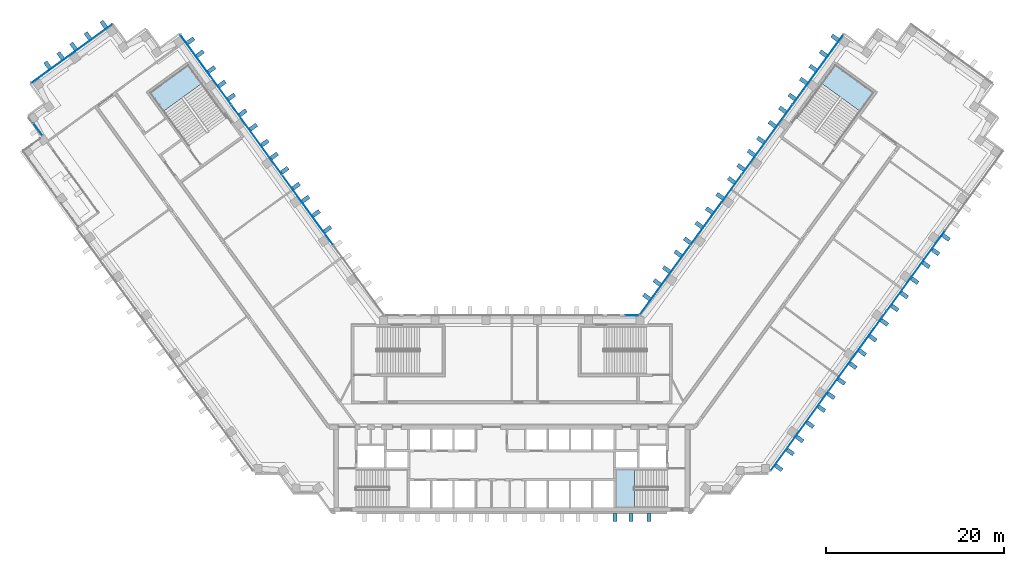
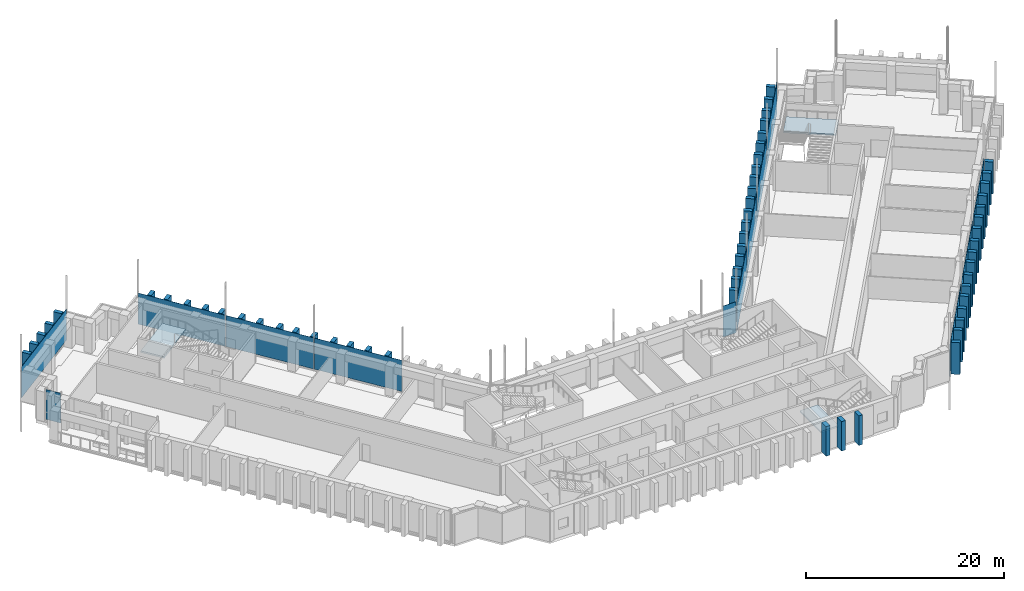
# One storey, part 9 of 19: 71 plates, 3 slabs, 9 elements without a shape of their own.
"""IFC4 building model written with IfcOpenShell, lengths in metres."""

from ifc_helpers import new_model, si_unit, direction, frame, origin, origin_2d, place, context, subcontext, project, spatial, polyline, rectangle, outline, extrude, material, layer, layer_set, type_object, element, aggregate, save


model = new_model("IFC4")

# Units and contexts
model_context = context("Model", 3, precision=1e-05, world=origin(), true_north=direction((0.0, 1.0)))
body_context = subcontext(model_context, "Body", "Model", "MODEL_VIEW")
ifc_project = project(units=[si_unit("LENGTHUNIT", "METRE"), si_unit("AREAUNIT", "SQUARE_METRE"), si_unit("VOLUMEUNIT", "CUBIC_METRE"), si_unit("PLANEANGLEUNIT", "RADIAN"), si_unit("MASSUNIT", "GRAM", prefix="KILO")], contexts=[model_context])

# Site, building, storey
site_placement = place(None, origin())
site = spatial("IfcSite", under=ifc_project, at=site_placement, CompositionType="ELEMENT")
building_placement = place(site_placement, origin())
building = spatial("IfcBuilding", under=site, at=building_placement, Name="Quipu Civic Tower", CompositionType="ELEMENT")
storey_placement = place(building_placement, frame((0.0, 0.0, 35.0)))
storey = spatial("IfcBuildingStorey", under=building, at=storey_placement, Name="L07", CompositionType="ELEMENT", Elevation=35.0)

# Curtain wall, plate
ifc_material_1 = material(Name="Insulated glass unit", Category="glass")
curtain_wall_type = type_object("IfcCurtainWallType", Name="Office curtain wall CW1", PredefinedType="NOTDEFINED", material=ifc_material_1)
curtain_wall_1_placement = place(storey_placement, origin())
curtain_wall_1 = element("IfcCurtainWall", 1, at=curtain_wall_1_placement, inside=storey, type_object=curtain_wall_type, Name="Office curtain wall CW1 L07 run 2", PredefinedType="NOTDEFINED")
ifc_material_2 = material(Name="Insulated glass unit", Category="glass")
ifc_layer_1 = layer(ifc_material_2, 0.028076171875)
ifc_layer_set_1 = layer_set([ifc_layer_1], Name="Insulated glass unit")
plate_type_1 = type_object("IfcPlateType", Name="Glass panel CW1", PredefinedType="CURTAIN_PANEL", material=ifc_layer_set_1)
plate_1_placement = place(storey_placement, frame((-53.267578125, 32.008544921875, 0.240234375), z_axis=(0.0, 0.0, 1.0), x_axis=(0.587788151635, -0.809014887871, 0.0)))
plate_1 = element("IfcPlate", 2, at=plate_1_placement, type_object=plate_type_1, Name="CW1 panel 1.1", PredefinedType="CURTAIN_PANEL", context=body_context, shape_type="SweptSolid", body=[
    extrude(rectangle(XDim=1.638671875, YDim=0.028076171875, at=origin_2d()), origin(), (0.0, 0.0, 1.0), 3.679931640625),
])
aggregate(curtain_wall_1, [plate_1])

# Curtain wall, plates
curtain_wall_2_placement = place(storey_placement, origin())
curtain_wall_2 = element("IfcCurtainWall", 3, at=curtain_wall_2_placement, inside=storey, type_object=curtain_wall_type, Name="Office curtain wall CW1 L06 run 16", PredefinedType="NOTDEFINED")
plate_2_placement = place(storey_placement, frame((32.342529296875, -1.896484375, 0.16015625), z_axis=(0.0, 0.0, 1.0), x_axis=(0.587785559869, 0.809016770908, 0.0)))
plate_2 = element("IfcPlate", 4, at=plate_2_placement, type_object=plate_type_1, Name="CW1 panel 1.2", PredefinedType="CURTAIN_PANEL", context=body_context, shape_type="SweptSolid", body=[
    extrude(rectangle(XDim=11.022705078125, YDim=0.028076171875, at=origin_2d()), origin(), (0.0, 0.0, 1.0), 3.840087890625),
])
plate_3_placement = place(storey_placement, frame((38.880126953125, 7.101806640625, 0.16015625), z_axis=(0.0, 0.0, 1.0), x_axis=(0.587785559869, 0.809016770908, 0.0)))
plate_3 = element("IfcPlate", 5, at=plate_3_placement, type_object=plate_type_1, Name="CW1 panel 2.2", PredefinedType="CURTAIN_PANEL", context=body_context, shape_type="SweptSolid", body=[
    extrude(rectangle(XDim=11.062744140625, YDim=0.028076171875, at=origin_2d()), origin(), (0.0, 0.0, 1.0), 3.840087890625),
])
plate_4_placement = place(storey_placement, frame((45.4296875, 16.11669921875, 0.16015625), z_axis=(0.0, 0.0, 1.0), x_axis=(0.587785559869, 0.809016770908, 0.0)))
plate_4 = element("IfcPlate", 6, at=plate_4_placement, type_object=plate_type_1, Name="CW1 panel 3.2", PredefinedType="CURTAIN_PANEL", context=body_context, shape_type="SweptSolid", body=[
    extrude(rectangle(XDim=11.062744140625, YDim=0.028076171875, at=origin_2d()), origin(), (0.0, 0.0, 1.0), 3.840087890625),
])
aggregate(curtain_wall_2, [plate_2, plate_3, plate_4])

curtain_wall_3_placement = place(storey_placement, origin())
curtain_wall_3 = element("IfcCurtainWall", 7, at=curtain_wall_3_placement, inside=storey, type_object=curtain_wall_type, Name="Office curtain wall CW1 L06 run 26", PredefinedType="NOTDEFINED")
plate_5_placement = place(storey_placement, frame((34.413330078125, 38.722900390625, 0.16015625), z_axis=(0.0, 0.0, 1.0), x_axis=(-0.587785887566, -0.809016532822, 0.0)))
plate_5 = element("IfcPlate", 8, at=plate_5_placement, type_object=plate_type_1, Name="CW1 panel 1.2", PredefinedType="CURTAIN_PANEL", context=body_context, shape_type="SweptSolid", body=[
    extrude(rectangle(XDim=9.64111328125, YDim=0.028076171875, at=origin_2d()), origin(), (0.0, 0.0, 1.0), 3.840087890625),
])
plate_6_placement = place(storey_placement, frame((28.687744140625, 30.84228515625, 0.16015625), z_axis=(0.0, 0.0, 1.0), x_axis=(-0.587785887566, -0.809016532822, 0.0)))
plate_6 = element("IfcPlate", 9, at=plate_6_placement, type_object=plate_type_1, Name="CW1 panel 2.2", PredefinedType="CURTAIN_PANEL", context=body_context, shape_type="SweptSolid", body=[
    extrude(rectangle(XDim=9.68115234375, YDim=0.028076171875, at=origin_2d()), origin(), (0.0, 0.0, 1.0), 3.840087890625),
])
plate_7_placement = place(storey_placement, frame((22.950439453125, 22.9453125, 0.16015625), z_axis=(0.0, 0.0, 1.0), x_axis=(-0.587785887566, -0.809016532822, 0.0)))
plate_7 = element("IfcPlate", 10, at=plate_7_placement, type_object=plate_type_1, Name="CW1 panel 3.2", PredefinedType="CURTAIN_PANEL", context=body_context, shape_type="SweptSolid", body=[
    extrude(rectangle(XDim=9.68115234375, YDim=0.028076171875, at=origin_2d()), origin(), (0.0, 0.0, 1.0), 3.840087890625),
])
plate_8_placement = place(storey_placement, frame((17.224609375, 15.064697265625, 0.16015625), z_axis=(0.0, 0.0, 1.0), x_axis=(-0.587785887566, -0.809016532822, 0.0)))
plate_8 = element("IfcPlate", 11, at=plate_8_placement, type_object=plate_type_1, Name="CW1 panel 4.2", PredefinedType="CURTAIN_PANEL", context=body_context, shape_type="SweptSolid", body=[
    extrude(rectangle(XDim=9.64111328125, YDim=0.028076171875, at=origin_2d()), origin(), (0.0, 0.0, 1.0), 3.840087890625),
])
aggregate(curtain_wall_3, [plate_5, plate_6, plate_7, plate_8])

# Curtain wall, plate
curtain_wall_4_placement = place(storey_placement, origin())
curtain_wall_4 = element("IfcCurtainWall", 12, at=curtain_wall_4_placement, inside=storey, type_object=curtain_wall_type, Name="Office curtain wall CW1 L06 run 27", PredefinedType="NOTDEFINED")
plate_9_placement = place(storey_placement, frame((13.49951171875, 11.10009765625, 0.16015625), z_axis=(0.0, 0.0, 1.0), x_axis=(-1.0, 0.0, 0.0)))
plate_9 = element("IfcPlate", 13, at=plate_9_placement, type_object=plate_type_1, Name="CW1 panel 1.2", PredefinedType="CURTAIN_PANEL", context=body_context, shape_type="SweptSolid", body=[
    extrude(rectangle(XDim=1.529296875, YDim=0.028076171875, at=origin_2d()), origin(), (0.0, 0.0, 1.0), 3.840087890625),
])
aggregate(curtain_wall_4, [plate_9])

# Curtain wall, plates
curtain_wall_5_placement = place(storey_placement, origin())
curtain_wall_5 = element("IfcCurtainWall", 14, at=curtain_wall_5_placement, inside=storey, type_object=curtain_wall_type, Name="Office curtain wall CW1 L06 run 32", PredefinedType="NOTDEFINED")
plate_10_placement = place(storey_placement, frame((-22.950439453125, 22.9453125, 0.16015625), z_axis=(0.0, 0.0, 1.0), x_axis=(-0.587785887566, 0.809016532822, 0.0)))
plate_10 = element("IfcPlate", 15, at=plate_10_placement, type_object=plate_type_1, Name="CW1 panel 2.2", PredefinedType="CURTAIN_PANEL", context=body_context, shape_type="SweptSolid", body=[
    extrude(rectangle(XDim=9.68115234375, YDim=0.028076171875, at=origin_2d()), origin(), (0.0, 0.0, 1.0), 3.840087890625),
])
plate_11_placement = place(storey_placement, frame((-28.687744140625, 30.84228515625, 0.16015625), z_axis=(0.0, 0.0, 1.0), x_axis=(-0.587785887566, 0.809016532822, 0.0)))
plate_11 = element("IfcPlate", 16, at=plate_11_placement, type_object=plate_type_1, Name="CW1 panel 3.2", PredefinedType="CURTAIN_PANEL", context=body_context, shape_type="SweptSolid", body=[
    extrude(rectangle(XDim=9.68115234375, YDim=0.028076171875, at=origin_2d()), origin(), (0.0, 0.0, 1.0), 3.840087890625),
])
plate_12_placement = place(storey_placement, frame((-34.413330078125, 38.722900390625, 0.16015625), z_axis=(0.0, 0.0, 1.0), x_axis=(-0.587785887566, 0.809016532822, 0.0)))
plate_12 = element("IfcPlate", 17, at=plate_12_placement, type_object=plate_type_1, Name="CW1 panel 4.2", PredefinedType="CURTAIN_PANEL", context=body_context, shape_type="SweptSolid", body=[
    extrude(rectangle(XDim=9.64111328125, YDim=0.028076171875, at=origin_2d()), origin(), (0.0, 0.0, 1.0), 3.840087890625),
])
aggregate(curtain_wall_5, [plate_10, plate_11, plate_12])

# Curtain wall, plate
curtain_wall_6_placement = place(storey_placement, origin())
curtain_wall_6 = element("IfcCurtainWall", 18, at=curtain_wall_6_placement, inside=storey, type_object=curtain_wall_type, Name="Office curtain wall CW1 L06 run 37", PredefinedType="NOTDEFINED")
plate_13_placement = place(storey_placement, frame((-49.447998046875, 40.53173828125, 0.16015625), z_axis=(0.0, 0.0, 1.0), x_axis=(-0.809019348124, -0.587782012621, 0.0)))
plate_13 = element("IfcPlate", 19, at=plate_13_placement, type_object=plate_type_1, Name="CW1 panel 1.2", PredefinedType="CURTAIN_PANEL", context=body_context, shape_type="SweptSolid", body=[
    extrude(rectangle(XDim=11.239990234375, YDim=0.028076171875, at=origin_2d()), origin(), (0.0, 0.0, 1.0), 3.840087890625),
])
aggregate(curtain_wall_6, [plate_13])

# Plates
ifc_material_3 = material(Name="Precast concrete C40/50", Category="concrete")
plate_type_2 = type_object("IfcPlateType", Name="Precast fin F1", PredefinedType="SHEET", material=ifc_material_3)
for number, where, z_axis, x_axis, name in (
    (20, (11.625, -11.637939453125, 0.0), (0.0, 0.0, 1.0), (1.0, 0.0, 0.0), "Precast fin F1 L07.P07.15"),
    (21, (13.425048828125, -11.637939453125, 0.0), (0.0, 0.0, 1.0), (1.0, 0.0, 0.0), "Precast fin F1 L07.P07.16"),
    (22, (15.425048828125, -11.637939453125, 0.0), (0.0, 0.0, 1.0), (1.0, 0.0, 0.0), "Precast fin F1 L07.P07.17"),
):
    element("IfcPlate", number, at=place(storey_placement, frame(where, z_axis=z_axis, x_axis=x_axis)), inside=storey, type_object=plate_type_2, Name=name, PredefinedType="SHEET", context=body_context, shape_type="SweptSolid", body=[
        extrude(rectangle(XDim=0.449951171875, YDim=0.89990234375, at=origin_2d()), origin(), (0.0, 0.0, 1.0), 3.64990234375),
    ])
for number, where, z_axis, x_axis, name in (
    (23, (30.014892578125, -6.03564453125, 0.080078125), (0.0, 0.0, 1.0), (0.587785716149, 0.809016657363, 0.0), "Precast fin F1 L07.P13.1"),
    (24, (31.30810546875, -4.255859375, 0.080078125), (0.0, 0.0, 1.0), (0.587785716149, 0.809016657363, 0.0), "Precast fin F1 L07.P13.2"),
    (25, (32.365966796875, -2.7998046875, 0.080078125), (0.0, 0.0, 1.0), (0.587785716149, 0.809016657363, 0.0), "Precast fin F1 L07.P13.3"),
    (26, (33.541748046875, -1.181640625, 0.080078125), (0.0, 0.0, 1.0), (0.587785716149, 0.809016657363, 0.0), "Precast fin F1 L07.P13.4"),
    (27, (34.834716796875, 0.59814453125, 0.080078125), (0.0, 0.0, 1.0), (0.587785716149, 0.809016657363, 0.0), "Precast fin F1 L07.P13.5"),
    (28, (35.892822265625, 2.054443359375, 0.080078125), (0.0, 0.0, 1.0), (0.587785716149, 0.809016657363, 0.0), "Precast fin F1 L07.P13.6"),
    (29, (37.068359375, 3.67236328125, 0.080078125), (0.0, 0.0, 1.0), (0.587785716149, 0.809016657363, 0.0), "Precast fin F1 L07.P13.7"),
    (30, (38.361572265625, 5.452392578125, 0.080078125), (0.0, 0.0, 1.0), (0.587785716149, 0.809016657363, 0.0), "Precast fin F1 L07.P13.8"),
    (31, (39.41943359375, 6.908447265625, 0.080078125), (0.0, 0.0, 1.0), (0.587785716149, 0.809016657363, 0.0), "Precast fin F1 L07.P13.9"),
    (32, (40.594970703125, 8.526611328125, 0.080078125), (0.0, 0.0, 1.0), (0.587785716149, 0.809016657363, 0.0), "Precast fin F1 L07.P13.10"),
    (33, (41.88818359375, 10.306396484375, 0.080078125), (0.0, 0.0, 1.0), (0.587785716149, 0.809016657363, 0.0), "Precast fin F1 L07.P13.11"),
    (34, (43.063720703125, 11.92431640625, 0.080078125), (0.0, 0.0, 1.0), (0.587785716149, 0.809016657363, 0.0), "Precast fin F1 L07.P13.12"),
    (35, (44.121826171875, 13.380615234375, 0.080078125), (0.0, 0.0, 1.0), (0.587785716149, 0.809016657363, 0.0), "Precast fin F1 L07.P13.13"),
    (36, (45.29736328125, 14.998779296875, 0.080078125), (0.0, 0.0, 1.0), (0.587785716149, 0.809016657363, 0.0), "Precast fin F1 L07.P13.14"),
    (37, (46.590576171875, 16.778564453125, 0.080078125), (0.0, 0.0, 1.0), (0.587785716149, 0.809016657363, 0.0), "Precast fin F1 L07.P13.15"),
    (38, (47.6484375, 18.234619140625, 0.080078125), (0.0, 0.0, 1.0), (0.587785716149, 0.809016657363, 0.0), "Precast fin F1 L07.P13.16"),
    (39, (48.823974609375, 19.852783203125, 0.080078125), (0.0, 0.0, 1.0), (0.587785716149, 0.809016657363, 0.0), "Precast fin F1 L07.P13.17"),
    (40, (36.334716796875, 42.302978515625, 0.080078125), (0.0, 0.0, 1.0), (-0.587784944053, -0.809017218324, 0.0), "Precast fin F1 L07.P23.1"),
    (41, (35.04150390625, 40.52294921875, 0.080078125), (0.0, 0.0, 1.0), (-0.587784944053, -0.809017218324, 0.0), "Precast fin F1 L07.P23.2"),
    (42, (33.865966796875, 38.905029296875, 0.080078125), (0.0, 0.0, 1.0), (-0.587784944053, -0.809017218324, 0.0), "Precast fin F1 L07.P23.3"),
    (43, (32.807861328125, 37.44873046875, 0.080078125), (0.0, 0.0, 1.0), (-0.587784944053, -0.809017218324, 0.0), "Precast fin F1 L07.P23.4"),
    (44, (31.5146484375, 35.6689453125, 0.080078125), (0.0, 0.0, 1.0), (-0.587784944053, -0.809017218324, 0.0), "Precast fin F1 L07.P23.5"),
    (45, (30.456787109375, 34.212646484375, 0.080078125), (0.0, 0.0, 1.0), (-0.587784944053, -0.809017218324, 0.0), "Precast fin F1 L07.P23.6"),
    (46, (29.28125, 32.5947265625, 0.080078125), (0.0, 0.0, 1.0), (-0.587784944053, -0.809017218324, 0.0), "Precast fin F1 L07.P23.7"),
    (47, (27.988037109375, 30.81494140625, 0.080078125), (0.0, 0.0, 1.0), (-0.587784944053, -0.809017218324, 0.0), "Precast fin F1 L07.P23.8"),
    (48, (26.929931640625, 29.358642578125, 0.080078125), (0.0, 0.0, 1.0), (-0.587784944053, -0.809017218324, 0.0), "Precast fin F1 L07.P23.9"),
    (49, (25.75439453125, 27.740478515625, 0.080078125), (0.0, 0.0, 1.0), (-0.587784944053, -0.809017218324, 0.0), "Precast fin F1 L07.P23.10"),
    (50, (24.696533203125, 26.284423828125, 0.080078125), (0.0, 0.0, 1.0), (-0.587784944053, -0.809017218324, 0.0), "Precast fin F1 L07.P23.11"),
    (51, (23.4033203125, 24.50439453125, 0.080078125), (0.0, 0.0, 1.0), (-0.587784944053, -0.809017218324, 0.0), "Precast fin F1 L07.P23.12"),
    (52, (22.227783203125, 22.886474609375, 0.080078125), (0.0, 0.0, 1.0), (-0.587784944053, -0.809017218324, 0.0), "Precast fin F1 L07.P23.13"),
    (53, (21.05224609375, 21.268310546875, 0.080078125), (0.0, 0.0, 1.0), (-0.587784944053, -0.809017218324, 0.0), "Precast fin F1 L07.P23.14"),
    (54, (19.759033203125, 19.488525390625, 0.080078125), (0.0, 0.0, 1.0), (-0.587784944053, -0.809017218324, 0.0), "Precast fin F1 L07.P23.15"),
    (55, (18.701171875, 18.032470703125, 0.080078125), (0.0, 0.0, 1.0), (-0.587784944053, -0.809017218324, 0.0), "Precast fin F1 L07.P23.16"),
    (56, (17.407958984375, 16.25244140625, 0.080078125), (0.0, 0.0, 1.0), (-0.587784944053, -0.809017218324, 0.0), "Precast fin F1 L07.P23.17"),
    (57, (16.349853515625, 14.79638671875, 0.080078125), (0.0, 0.0, 1.0), (-0.587784944053, -0.809017218324, 0.0), "Precast fin F1 L07.P23.18"),
    (58, (15.17431640625, 13.17822265625, 0.080078125), (0.0, 0.0, 1.0), (-0.587784944053, -0.809017218324, 0.0), "Precast fin F1 L07.P23.19"),
    (59, (-20.702392578125, 20.786865234375, 0.080078125), (0.0, 0.0, 1.0), (-0.587784944053, 0.809017218324, 0.0), "Precast fin F1 L07.P29.6"),
    (60, (-21.995361328125, 22.566650390625, 0.080078125), (0.0, 0.0, 1.0), (-0.587784944053, 0.809017218324, 0.0), "Precast fin F1 L07.P29.7"),
    (61, (-23.171142578125, 24.184814453125, 0.080078125), (0.0, 0.0, 1.0), (-0.587784944053, 0.809017218324, 0.0), "Precast fin F1 L07.P29.8"),
    (62, (-24.22900390625, 25.640869140625, 0.080078125), (0.0, 0.0, 1.0), (-0.587784944053, 0.809017218324, 0.0), "Precast fin F1 L07.P29.9"),
    (63, (-25.522216796875, 27.4208984375, 0.080078125), (0.0, 0.0, 1.0), (-0.587784944053, 0.809017218324, 0.0), "Precast fin F1 L07.P29.10"),
    (64, (-26.69775390625, 29.038818359375, 0.080078125), (0.0, 0.0, 1.0), (-0.587784944053, 0.809017218324, 0.0), "Precast fin F1 L07.P29.11"),
    (65, (-27.755859375, 30.4951171875, 0.080078125), (0.0, 0.0, 1.0), (-0.587784944053, 0.809017218324, 0.0), "Precast fin F1 L07.P29.12"),
    (66, (-29.048828125, 32.27490234375, 0.080078125), (0.0, 0.0, 1.0), (-0.587784944053, 0.809017218324, 0.0), "Precast fin F1 L07.P29.13"),
    (67, (-30.224365234375, 33.89306640625, 0.080078125), (0.0, 0.0, 1.0), (-0.587784944053, 0.809017218324, 0.0), "Precast fin F1 L07.P29.14"),
    (68, (-31.517578125, 35.6728515625, 0.080078125), (0.0, 0.0, 1.0), (-0.587784944053, 0.809017218324, 0.0), "Precast fin F1 L07.P29.15"),
    (69, (-32.57568359375, 37.129150390625, 0.080078125), (0.0, 0.0, 1.0), (-0.587784944053, 0.809017218324, 0.0), "Precast fin F1 L07.P29.16"),
    (70, (-33.751220703125, 38.7470703125, 0.080078125), (0.0, 0.0, 1.0), (-0.587784944053, 0.809017218324, 0.0), "Precast fin F1 L07.P29.17"),
    (71, (-35.044189453125, 40.52685546875, 0.080078125), (0.0, 0.0, 1.0), (-0.587784944053, 0.809017218324, 0.0), "Precast fin F1 L07.P29.18"),
    (72, (-36.102294921875, 41.983154296875, 0.080078125), (0.0, 0.0, 1.0), (-0.587784944053, 0.809017218324, 0.0), "Precast fin F1 L07.P29.19"),
    (73, (-45.867919921875, 43.812744140625, 0.080078125), (0.0, 0.0, 1.0), (-0.809021318545, -0.587779300537, 0.0), "Precast fin F1 L07.P34.1"),
    (74, (-47.647705078125, 42.51953125, 0.080078125), (0.0, 0.0, 1.0), (-0.809021318545, -0.587779300537, 0.0), "Precast fin F1 L07.P34.2"),
    (75, (-49.265625, 41.343994140625, 0.080078125), (0.0, 0.0, 1.0), (-0.809021318545, -0.587779300537, 0.0), "Precast fin F1 L07.P34.3"),
    (76, (-50.721923828125, 40.2861328125, 0.080078125), (0.0, 0.0, 1.0), (-0.809021318545, -0.587779300537, 0.0), "Precast fin F1 L07.P34.4"),
    (77, (-52.17822265625, 39.22802734375, 0.080078125), (0.0, 0.0, 1.0), (-0.809021318545, -0.587779300537, 0.0), "Precast fin F1 L07.P34.5"),
):
    element("IfcPlate", number, at=place(storey_placement, frame(where, z_axis=z_axis, x_axis=x_axis)), inside=storey, type_object=plate_type_2, Name=name, PredefinedType="SHEET", context=body_context, shape_type="SweptSolid", body=[
        extrude(rectangle(XDim=0.449951171875, YDim=0.89990234375, at=origin_2d()), origin(), (0.0, 0.0, 1.0), 3.919921875),
    ])

# Stair, slab
ifc_material_4 = material(Name="Concrete C40/50", Category="concrete")
stair_type_1 = type_object("IfcStairType", Name="Half turn stair 2000", PredefinedType="HALF_TURN_STAIR", material=ifc_material_4)
stair_1_placement = place(storey_placement, origin())
stair_1 = element("IfcStair", 78, at=stair_1_placement, inside=storey, type_object=stair_type_1, Name="Exit stair 2", PredefinedType="HALF_TURN_STAIR")
ifc_material_5 = material(Name="Concrete C40/50", Category="concrete")
ifc_layer_2 = layer(ifc_material_5, 0.199951171875)
ifc_layer_set_2 = layer_set([ifc_layer_2], Name="Concrete C40/50")
slab_type = type_object("IfcSlabType", Name="Stair landing 200", PredefinedType="LANDING", material=ifc_layer_set_2)
slab_1_placement = place(storey_placement, frame((0.0, 0.0, 1.800048828125)))
slab_1 = element("IfcSlab", 79, at=slab_1_placement, type_object=slab_type, Name="ST-2 landing 1", PredefinedType="LANDING", context=body_context, shape_type="SweptSolid", body=[
    extrude(outline(polyline([(13.780029296875, -6.25), (11.699951171875, -6.25), (11.699951171875, -10.5), (13.780029296875, -10.5), (13.780029296875, -6.25)])), origin(), (0.0, 0.0, 1.0), 0.199951171875),
])
aggregate(stair_1, [slab_1])

ifc_material_6 = material(Name="Concrete C40/50", Category="concrete")
stair_type_2 = type_object("IfcStairType", Name="Half turn stair 2600", PredefinedType="HALF_TURN_STAIR", material=ifc_material_6)
stair_2_placement = place(storey_placement, origin())
stair_2 = element("IfcStair", 80, at=stair_2_placement, inside=storey, type_object=stair_type_2, Name="Exit stair 6", PredefinedType="HALF_TURN_STAIR")
slab_2_placement = place(storey_placement, frame((0.0, 0.0, 1.800048828125)))
slab_2 = element("IfcSlab", 81, at=slab_2_placement, type_object=slab_type, Name="ST-6 landing 1", PredefinedType="LANDING", context=body_context, shape_type="SweptSolid", body=[
    extrude(outline(polyline([(-34.837158203125, 37.179443359375), (-36.365478515625, 39.282958984375), (-40.69384765625, 36.138427734375), (-39.16552734375, 34.034912109375), (-34.837158203125, 37.179443359375)])), origin(), (0.0, 0.0, 1.0), 0.199951171875),
])
aggregate(stair_2, [slab_2])

stair_3_placement = place(storey_placement, origin())
stair_3 = element("IfcStair", 82, at=stair_3_placement, inside=storey, type_object=stair_type_2, Name="Exit stair 7", PredefinedType="HALF_TURN_STAIR")
slab_3_placement = place(storey_placement, frame((0.0, 0.0, 1.800048828125)))
slab_3 = element("IfcSlab", 83, at=slab_3_placement, type_object=slab_type, Name="ST-7 landing 1", PredefinedType="LANDING", context=body_context, shape_type="SweptSolid", body=[
    extrude(outline(polyline([(39.16552734375, 34.034912109375), (40.69384765625, 36.138427734375), (36.365478515625, 39.282958984375), (34.837158203125, 37.179443359375), (39.16552734375, 34.034912109375)])), origin(), (0.0, 0.0, 1.0), 0.199951171875),
])
aggregate(stair_3, [slab_3])

save(model, "model.ifc")
